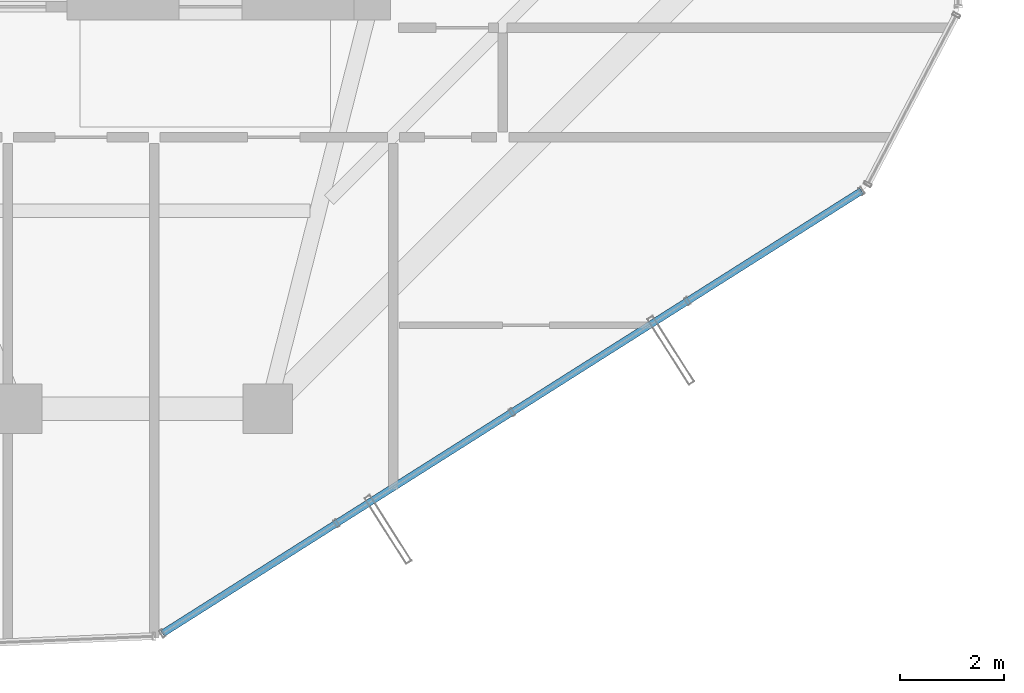
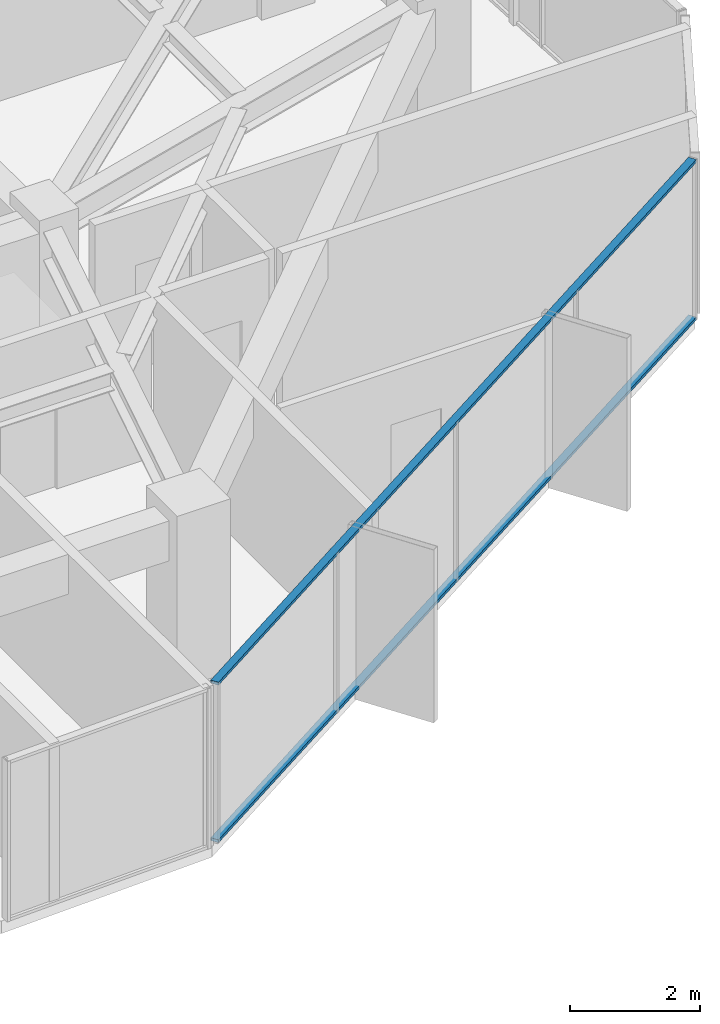
# One storey, part 9 of 33: 2 members, 1 element without a shape of its own.
"""IFC4 building model written with IfcOpenShell, lengths in metres."""

from ifc_helpers import new_model, si_unit, direction, frame, origin, origin_2d, place, context, subcontext, project, spatial, hollow_rectangle, extrude, source, transform, mapped, material, layer, layer_set, material_profile, profile_set, type_object, element, aggregate, save


model = new_model("IFC4")

# Units and contexts
model_context = context("Model", 3, precision=1e-05, world=origin(), true_north=direction((0.0, 1.0)))
body_context = subcontext(model_context, "Body", "Model", "MODEL_VIEW")
ifc_project = project(units=[si_unit("LENGTHUNIT", "METRE"), si_unit("AREAUNIT", "SQUARE_METRE"), si_unit("VOLUMEUNIT", "CUBIC_METRE"), si_unit("PLANEANGLEUNIT", "RADIAN"), si_unit("MASSUNIT", "GRAM", prefix="KILO")], contexts=[model_context])

# Site, building, storey
site_placement = place(None, origin())
site = spatial("IfcSite", under=ifc_project, at=site_placement, CompositionType="ELEMENT")
building_placement = place(site_placement, origin())
building = spatial("IfcBuilding", under=site, at=building_placement, Name="Veraguas Prism Commons", CompositionType="ELEMENT")
storey_placement = place(building_placement, frame((0.0, 0.0, 198.35009765625)))
storey = spatial("IfcBuildingStorey", under=building, at=storey_placement, Name="L56", CompositionType="ELEMENT", Elevation=198.35009765625)

# Curtain wall, members
ifc_material = material(Name="Anodised aluminium EN AW-6063 T6", Category="aluminium")
ifc_layer = layer(ifc_material, 0.14990234375, Name="Unitised Flush Curtain Wall Zone 3", Category="aluminium")
ifc_layer_set = layer_set([ifc_layer], Name="Anodised aluminium EN AW-6063 T6")
curtain_wall_type = type_object("IfcCurtainWallType", Name="Unitised Flush Curtain Wall Zone 3", PredefinedType="NOTDEFINED", material=ifc_layer_set)
curtain_wall_placement = place(storey_placement, origin())
curtain_wall = element("IfcCurtainWall", 1, at=curtain_wall_placement, inside=storey, type_object=curtain_wall_type, Name="Tower Facade Curtain Wall L56-F5", PredefinedType="NOTDEFINED")
ifc_material_profile = material_profile(ifc_material, hollow_rectangle(XDim=0.054931640625, YDim=0.135009765625, WallThickness=0.0029296875, at=origin_2d()), Name="AL55X135X3")
ifc_profile_set = profile_set([ifc_material_profile], Name="Anodised aluminium EN AW-6063 T6")
member_type = type_object("IfcMemberType", Name="Curtain Wall Transom Standard AL 55x135x3", PredefinedType="USERDEFINED", material=ifc_profile_set)
shared_shape = source(origin(), body_context, "Body", "SweptSolid", [
    extrude(hollow_rectangle(XDim=0.054931640625, YDim=0.135009765625, WallThickness=0.0029296875, at=origin_2d()), origin(), (0.0, 0.0, 1.0), 15.84228515625),
])
member_1_placement = place(storey_placement, frame((26.781494140625, 4.799560546875, 0.02734375), z_axis=(0.844892210486, 0.534936587513, 0.0), x_axis=(0.0, 0.0, 1.0)))
member_1 = element("IfcMember", 2, at=member_1_placement, type_object=member_type, Name="CW-Z3 Transom 1", ObjectType="TRANSOM", PredefinedType="USERDEFINED", context=body_context, shape_type="MappedRepresentation", body=[
    mapped(shared_shape, transform((0.0, 0.0, 0.0), scale=1.0)),
])
member_2_placement = place(storey_placement, frame((26.781494140625, 4.799560546875, 2.9873046875), z_axis=(0.844892210486, 0.534936587513, 0.0), x_axis=(0.0, 0.0, 1.0)))
member_2 = element("IfcMember", 3, at=member_2_placement, type_object=member_type, Name="CW-Z3 Transom 2", ObjectType="TRANSOM", PredefinedType="USERDEFINED", context=body_context, shape_type="MappedRepresentation", body=[
    mapped(shared_shape, transform((0.0, 0.0, 0.0), scale=1.0)),
])
aggregate(curtain_wall, [member_1, member_2])

save(model, "model.ifc")
